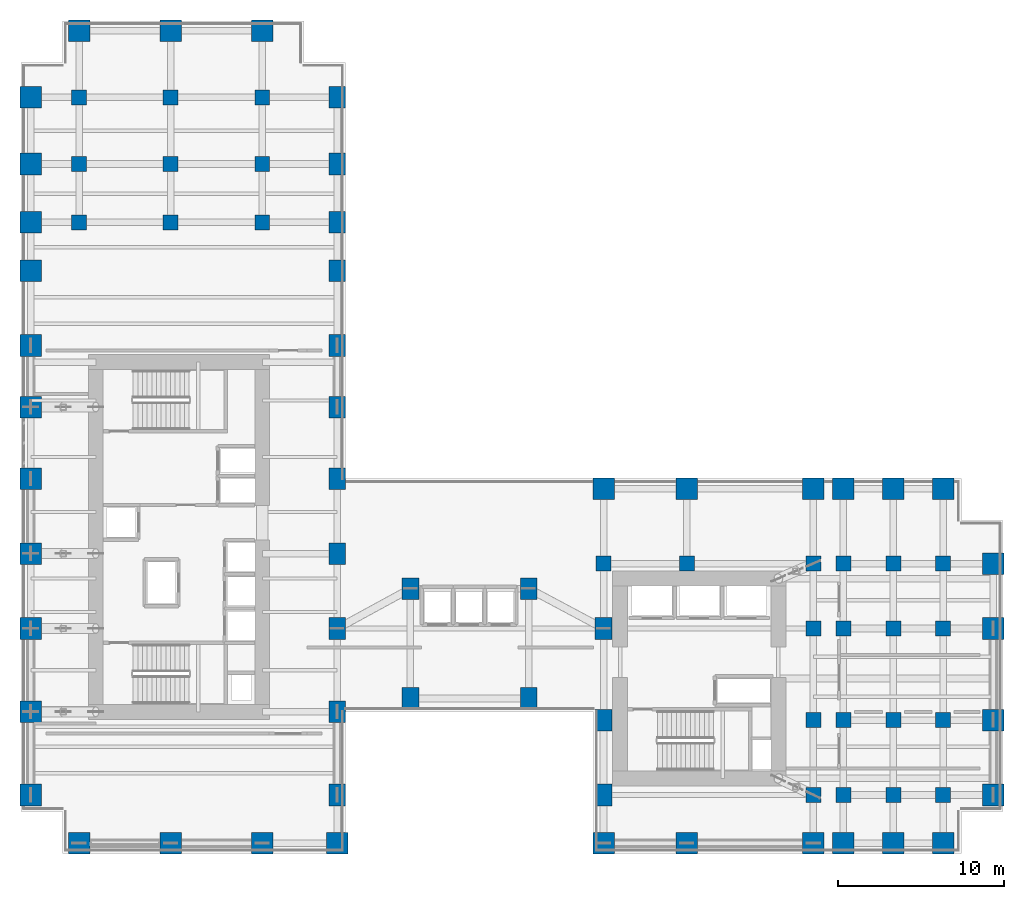
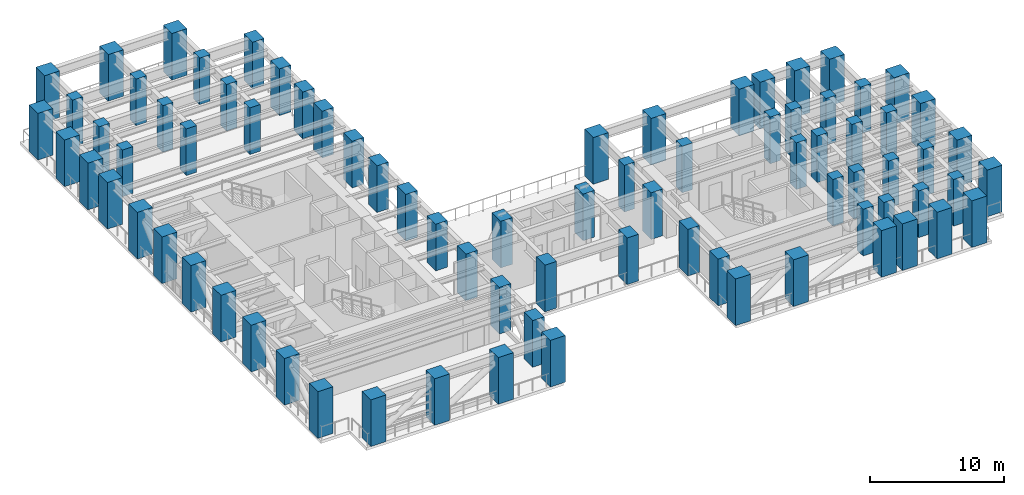
# One storey, part 1 of 16: 79 columns.
"""IFC4 building model written with IfcOpenShell, lengths in metres."""

from ifc_helpers import new_model, si_unit, direction, frame, origin, origin_2d, place, context, subcontext, project, spatial, rectangle, extrude, source, transform, mapped, material, material_profile, profile_set, type_object, element, save


model = new_model("IFC4")

# Units and contexts
model_context = context("Model", 3, precision=1e-05, world=origin(), true_north=direction((0.0, 1.0)))
body_context = subcontext(model_context, "Body", "Model", "MODEL_VIEW")
ifc_project = project(units=[si_unit("LENGTHUNIT", "METRE"), si_unit("AREAUNIT", "SQUARE_METRE"), si_unit("VOLUMEUNIT", "CUBIC_METRE"), si_unit("PLANEANGLEUNIT", "RADIAN"), si_unit("MASSUNIT", "GRAM", prefix="KILO")], contexts=[model_context])

# Site, building, storey
site_placement = place(None, origin())
site = spatial("IfcSite", under=ifc_project, at=site_placement, CompositionType="ELEMENT")
building_placement = place(site_placement, origin())
building = spatial("IfcBuilding", under=site, at=building_placement, Name="Kharzan Plaza Tower", CompositionType="ELEMENT")
storey_placement = place(building_placement, frame((0.0, 0.0, 72.89990234375)))
storey = spatial("IfcBuildingStorey", under=building, at=storey_placement, Name="L19", CompositionType="ELEMENT", Elevation=72.89990234375)

# Columns
ifc_material_1 = material(Name="Concrete C50/60", Category="concrete")
ifc_material_profile_1 = material_profile(ifc_material_1, rectangle(XDim=0.89990234375, YDim=0.89990234375, at=origin_2d()), Name="RC-IC900x900")
ifc_profile_set_1 = profile_set([ifc_material_profile_1], Name="Concrete C50/60")
column_type_1 = type_object("IfcColumnType", Name="COL-IC900", PredefinedType="COLUMN", material=ifc_profile_set_1)
shared_shape_1 = source(origin(), body_context, "Body", "SweptSolid", [
    extrude(rectangle(XDim=0.89990234375, YDim=0.89990234375, at=origin_2d()), origin(), (0.0, 0.0, 1.0), 4.260009765625),
])
for number, where, z_axis, x_axis, name in (
    (1, (47.60009765625, 13.5, 0.0), (0.0, 0.0, 1.0), (1.0, 0.0, 0.0), "L19 Structural Column TCBI-135"),
    (2, (47.60009765625, 3.5, 0.0), (0.0, 0.0, 1.0), (1.0, 0.0, 0.0), "L19 Structural Column TCBI-35"),
    (3, (47.60009765625, 8.0, 0.0), (0.0, 0.0, 1.0), (1.0, 0.0, 0.0), "L19 Structural Column TCBI-80"),
    (4, (35.0, 17.39990234375, 0.0), (0.0, 0.0, 1.0), (1.0, 0.0, 0.0), "L19 Structural Column TCBN-350-174"),
    (5, (40.0, 17.39990234375, 0.0), (0.0, 0.0, 1.0), (1.0, 0.0, 0.0), "L19 Structural Column TCBN-400-174"),
    (6, (47.60009765625, 17.39990234375, 0.0), (0.0, 0.0, 1.0), (1.0, 0.0, 0.0), "L19 Structural Column TCBN-476-174"),
    (7, (49.39990234375, 13.5, 0.0), (0.0, 0.0, 1.0), (1.0, 0.0, 0.0), "L19 Structural Column TCE-494-135"),
    (8, (49.39990234375, 17.39990234375, 0.0), (0.0, 0.0, 1.0), (1.0, 0.0, 0.0), "L19 Structural Column TCE-494-174"),
    (9, (49.39990234375, 3.5, 0.0), (0.0, 0.0, 1.0), (1.0, 0.0, 0.0), "L19 Structural Column TCE-494-35"),
    (10, (49.39990234375, 8.0, 0.0), (0.0, 0.0, 1.0), (1.0, 0.0, 0.0), "L19 Structural Column TCE-494-80"),
    (11, (52.39990234375, 13.5, 0.0), (0.0, 0.0, 1.0), (1.0, 0.0, 0.0), "L19 Structural Column TCE-524-135"),
    (12, (52.39990234375, 17.39990234375, 0.0), (0.0, 0.0, 1.0), (1.0, 0.0, 0.0), "L19 Structural Column TCE-524-174"),
    (13, (52.39990234375, 3.5, 0.0), (0.0, 0.0, 1.0), (1.0, 0.0, 0.0), "L19 Structural Column TCE-524-35"),
    (14, (52.39990234375, 8.0, 0.0), (0.0, 0.0, 1.0), (1.0, 0.0, 0.0), "L19 Structural Column TCE-524-80"),
    (15, (55.39990234375, 13.5, 0.0), (0.0, 0.0, 1.0), (1.0, 0.0, 0.0), "L19 Structural Column TCE-554-135"),
    (16, (55.39990234375, 17.39990234375, 0.0), (0.0, 0.0, 1.0), (1.0, 0.0, 0.0), "L19 Structural Column TCE-554-174"),
    (17, (55.39990234375, 3.5, 0.0), (0.0, 0.0, 1.0), (1.0, 0.0, 0.0), "L19 Structural Column TCE-554-35"),
    (18, (55.39990234375, 8.0, 0.0), (0.0, 0.0, 1.0), (1.0, 0.0, 0.0), "L19 Structural Column TCE-554-80"),
    (19, (14.5, 37.89990234375, 0.0), (0.0, 0.0, 1.0), (1.0, 0.0, 0.0), "L19 Structural Column TCN-145-379"),
    (20, (14.5, 41.39990234375, 0.0), (0.0, 0.0, 1.0), (1.0, 0.0, 0.0), "L19 Structural Column TCN-145-414"),
    (21, (14.5, 45.39990234375, 0.0), (0.0, 0.0, 1.0), (1.0, 0.0, 0.0), "L19 Structural Column TCN-145-454"),
    (22, (3.5, 37.89990234375, 0.0), (0.0, 0.0, 1.0), (1.0, 0.0, 0.0), "L19 Structural Column TCN-35-379"),
    (23, (3.5, 41.39990234375, 0.0), (0.0, 0.0, 1.0), (1.0, 0.0, 0.0), "L19 Structural Column TCN-35-414"),
    (24, (3.5, 45.39990234375, 0.0), (0.0, 0.0, 1.0), (1.0, 0.0, 0.0), "L19 Structural Column TCN-35-454"),
    (25, (9.0, 37.89990234375, 0.0), (0.0, 0.0, 1.0), (1.0, 0.0, 0.0), "L19 Structural Column TCN-90-379"),
    (26, (9.0, 41.39990234375, 0.0), (0.0, 0.0, 1.0), (1.0, 0.0, 0.0), "L19 Structural Column TCN-90-414"),
    (27, (9.0, 45.39990234375, 0.0), (0.0, 0.0, 1.0), (1.0, 0.0, 0.0), "L19 Structural Column TCN-90-454"),
):
    element("IfcColumn", number, at=place(storey_placement, frame(where, z_axis=z_axis, x_axis=x_axis)), inside=storey, type_object=column_type_1, Name=name, PredefinedType="COLUMN", context=body_context, shape_type="MappedRepresentation", body=[
        mapped(shared_shape_1, transform((0.0, 0.0, 0.0), x_axis=(1.0, 0.0, 0.0), y_axis=(0.0, 1.0, 0.0), z_axis=(0.0, 0.0, 1.0))),
    ])
ifc_material_2 = material(Name="Concrete C60/75", Category="concrete")
ifc_material_profile_2 = material_profile(ifc_material_2, rectangle(XDim=1.0, YDim=1.300048828125, at=origin_2d()), Name="RC-SC1300x1000")
ifc_profile_set_2 = profile_set([ifc_material_profile_2], Name="Concrete C60/75")
column_type_2 = type_object("IfcColumnType", Name="COL-SC1300", PredefinedType="COLUMN", material=ifc_profile_set_2)
shared_shape_2 = source(origin(), body_context, "Body", "SweptSolid", [
    extrude(rectangle(XDim=1.0, YDim=1.300048828125, at=origin_2d()), origin(), (0.0, 0.0, 1.0), 4.260009765625),
])
for number, where, z_axis, x_axis, name in (
    (28, (19.0, 13.5, 0.0), (0.0, 0.0, 1.0), (1.0, 0.0, 0.0), "L19 Structural Column TCA-135"),
    (29, (19.0, 18.0, 0.0), (0.0, 0.0, 1.0), (1.0, 0.0, 0.0), "L19 Structural Column TCA-180"),
    (30, (19.0, 22.5, 0.0), (0.0, 0.0, 1.0), (1.0, 0.0, 0.0), "L19 Structural Column TCA-225"),
    (31, (19.0, 26.800048828125, 0.0), (0.0, 0.0, 1.0), (1.0, 0.0, 0.0), "L19 Structural Column TCA-268"),
    (32, (19.0, 30.5, 0.0), (0.0, 0.0, 1.0), (1.0, 0.0, 0.0), "L19 Structural Column TCA-305"),
    (33, (19.0, 3.5, 0.0), (0.0, 0.0, 1.0), (1.0, 0.0, 0.0), "L19 Structural Column TCA-35"),
    (34, (19.0, 35.0, 0.0), (0.0, 0.0, 1.0), (1.0, 0.0, 0.0), "L19 Structural Column TCA-350"),
    (35, (19.0, 37.89990234375, 0.0), (0.0, 0.0, 1.0), (1.0, 0.0, 0.0), "L19 Structural Column TCA-379"),
    (36, (19.0, 41.39990234375, 0.0), (0.0, 0.0, 1.0), (1.0, 0.0, 0.0), "L19 Structural Column TCA-414"),
    (37, (19.0, 45.39990234375, 0.0), (0.0, 0.0, 1.0), (1.0, 0.0, 0.0), "L19 Structural Column TCA-454"),
    (38, (19.0, 8.5, 0.0), (0.0, 0.0, 1.0), (1.0, 0.0, 0.0), "L19 Structural Column TCA-85"),
    (39, (35.0, 13.5, 0.0), (0.0, 0.0, 1.0), (1.0, 0.0, 0.0), "L19 Structural Column TCBS-135"),
    (40, (35.0, 3.5, 0.0), (0.0, 0.0, 1.0), (1.0, 0.0, 0.0), "L19 Structural Column TCBS-35"),
    (41, (35.0, 8.0, 0.0), (0.0, 0.0, 1.0), (1.0, 0.0, 0.0), "L19 Structural Column TCBS-80"),
    (42, (23.39990234375, 15.89990234375, 0.0), (0.0, 0.0, 1.0), (1.0, 0.0, 0.0), "L19 Structural Column TCSP-234-159"),
    (43, (23.39990234375, 9.300048828125, 0.0), (0.0, 0.0, 1.0), (1.0, 0.0, 0.0), "L19 Structural Column TCSP-234-93"),
    (44, (30.5, 15.89990234375, 0.0), (0.0, 0.0, 1.0), (1.0, 0.0, 0.0), "L19 Structural Column TCSP-305-159"),
    (45, (30.5, 9.300048828125, 0.0), (0.0, 0.0, 1.0), (1.0, 0.0, 0.0), "L19 Structural Column TCSP-305-93"),
):
    element("IfcColumn", number, at=place(storey_placement, frame(where, z_axis=z_axis, x_axis=x_axis)), inside=storey, type_object=column_type_2, Name=name, PredefinedType="COLUMN", context=body_context, shape_type="MappedRepresentation", body=[
        mapped(shared_shape_2, transform((0.0, 0.0, 0.0), x_axis=(1.0, 0.0, 0.0), y_axis=(0.0, 1.0, 0.0), z_axis=(0.0, 0.0, 1.0))),
    ])
ifc_material_profile_3 = material_profile(ifc_material_2, rectangle(XDim=1.300048828125, YDim=1.300048828125, at=origin_2d()), Name="RC-TC1300x1300")
ifc_profile_set_3 = profile_set([ifc_material_profile_3], Name="Concrete C60/75")
column_type_3 = type_object("IfcColumnType", Name="COL-TC1300", PredefinedType="COLUMN", material=ifc_profile_set_3)
shared_shape_3 = source(origin(), body_context, "Body", "SweptSolid", [
    extrude(rectangle(XDim=1.300048828125, YDim=1.300048828125, at=origin_2d()), origin(), (0.0, 0.0, 1.0), 4.260009765625),
])
for number, where, z_axis, x_axis, name in (
    (46, (35.0, 21.89990234375, 0.0), (0.0, 0.0, 1.0), (1.0, 0.0, 0.0), "L19 Structural Column TCBN-350-219"),
    (47, (40.0, 21.89990234375, 0.0), (0.0, 0.0, 1.0), (1.0, 0.0, 0.0), "L19 Structural Column TCBN-400-219"),
    (48, (47.60009765625, 21.89990234375, 0.0), (0.0, 0.0, 1.0), (1.0, 0.0, 0.0), "L19 Structural Column TCBN-476-219"),
    (49, (49.39990234375, 21.89990234375, 0.0), (0.0, 0.0, 1.0), (1.0, 0.0, 0.0), "L19 Structural Column TCBN-494-219"),
    (50, (52.39990234375, 21.89990234375, 0.0), (0.0, 0.0, 1.0), (1.0, 0.0, 0.0), "L19 Structural Column TCBN-524-219"),
    (51, (55.39990234375, 21.89990234375, 0.0), (0.0, 0.0, 1.0), (1.0, 0.0, 0.0), "L19 Structural Column TCBN-554-219"),
    (52, (58.39990234375, 13.5, 0.0), (0.0, 0.0, 1.0), (1.0, 0.0, 0.0), "L19 Structural Column TCE-584-135"),
    (53, (58.39990234375, 17.39990234375, 0.0), (0.0, 0.0, 1.0), (1.0, 0.0, 0.0), "L19 Structural Column TCE-584-174"),
    (54, (58.39990234375, 3.5, 0.0), (0.0, 0.0, 1.0), (1.0, 0.0, 0.0), "L19 Structural Column TCE-584-35"),
    (55, (58.39990234375, 8.0, 0.0), (0.0, 0.0, 1.0), (1.0, 0.0, 0.0), "L19 Structural Column TCE-584-80"),
    (56, (14.5, 49.39990234375, 0.0), (0.0, 0.0, 1.0), (1.0, 0.0, 0.0), "L19 Structural Column TCN-145-494"),
    (57, (3.5, 49.39990234375, 0.0), (0.0, 0.0, 1.0), (1.0, 0.0, 0.0), "L19 Structural Column TCN-35-494"),
    (58, (9.0, 49.39990234375, 0.0), (0.0, 0.0, 1.0), (1.0, 0.0, 0.0), "L19 Structural Column TCN-90-494"),
    (59, (14.5, 0.60009765625, 0.0), (0.0, 0.0, 1.0), (1.0, 0.0, 0.0), "L19 Structural Column TCS-145"),
    (60, (19.0, 0.60009765625, 0.0), (0.0, 0.0, 1.0), (1.0, 0.0, 0.0), "L19 Structural Column TCS-190"),
    (61, (3.5, 0.60009765625, 0.0), (0.0, 0.0, 1.0), (1.0, 0.0, 0.0), "L19 Structural Column TCS-35"),
    (62, (35.0, 0.60009765625, 0.0), (0.0, 0.0, 1.0), (1.0, 0.0, 0.0), "L19 Structural Column TCS-350"),
    (63, (40.0, 0.60009765625, 0.0), (0.0, 0.0, 1.0), (1.0, 0.0, 0.0), "L19 Structural Column TCS-400"),
    (64, (47.60009765625, 0.60009765625, 0.0), (0.0, 0.0, 1.0), (1.0, 0.0, 0.0), "L19 Structural Column TCS-476"),
    (65, (49.39990234375, 0.60009765625, 0.0), (0.0, 0.0, 1.0), (1.0, 0.0, 0.0), "L19 Structural Column TCS-494"),
    (66, (52.39990234375, 0.60009765625, 0.0), (0.0, 0.0, 1.0), (1.0, 0.0, 0.0), "L19 Structural Column TCS-524"),
    (67, (55.39990234375, 0.60009765625, 0.0), (0.0, 0.0, 1.0), (1.0, 0.0, 0.0), "L19 Structural Column TCS-554"),
    (68, (9.0, 0.60009765625, 0.0), (0.0, 0.0, 1.0), (1.0, 0.0, 0.0), "L19 Structural Column TCS-90"),
    (69, (0.60009765625, 13.5, 0.0), (0.0, 0.0, 1.0), (1.0, 0.0, 0.0), "L19 Structural Column TCW-135"),
    (70, (0.60009765625, 18.0, 0.0), (0.0, 0.0, 1.0), (1.0, 0.0, 0.0), "L19 Structural Column TCW-180"),
    (71, (0.60009765625, 22.5, 0.0), (0.0, 0.0, 1.0), (1.0, 0.0, 0.0), "L19 Structural Column TCW-225"),
    (72, (0.60009765625, 26.800048828125, 0.0), (0.0, 0.0, 1.0), (1.0, 0.0, 0.0), "L19 Structural Column TCW-268"),
    (73, (0.60009765625, 30.5, 0.0), (0.0, 0.0, 1.0), (1.0, 0.0, 0.0), "L19 Structural Column TCW-305"),
    (74, (0.60009765625, 3.5, 0.0), (0.0, 0.0, 1.0), (1.0, 0.0, 0.0), "L19 Structural Column TCW-35"),
    (75, (0.60009765625, 35.0, 0.0), (0.0, 0.0, 1.0), (1.0, 0.0, 0.0), "L19 Structural Column TCW-350"),
    (76, (0.60009765625, 37.89990234375, 0.0), (0.0, 0.0, 1.0), (1.0, 0.0, 0.0), "L19 Structural Column TCW-379"),
    (77, (0.60009765625, 41.39990234375, 0.0), (0.0, 0.0, 1.0), (1.0, 0.0, 0.0), "L19 Structural Column TCW-414"),
    (78, (0.60009765625, 45.39990234375, 0.0), (0.0, 0.0, 1.0), (1.0, 0.0, 0.0), "L19 Structural Column TCW-454"),
    (79, (0.60009765625, 8.5, 0.0), (0.0, 0.0, 1.0), (1.0, 0.0, 0.0), "L19 Structural Column TCW-85"),
):
    element("IfcColumn", number, at=place(storey_placement, frame(where, z_axis=z_axis, x_axis=x_axis)), inside=storey, type_object=column_type_3, Name=name, PredefinedType="COLUMN", context=body_context, shape_type="MappedRepresentation", body=[
        mapped(shared_shape_3, transform((0.0, 0.0, 0.0), x_axis=(1.0, 0.0, 0.0), y_axis=(0.0, 1.0, 0.0), z_axis=(0.0, 0.0, 1.0))),
    ])

save(model, "model.ifc")
